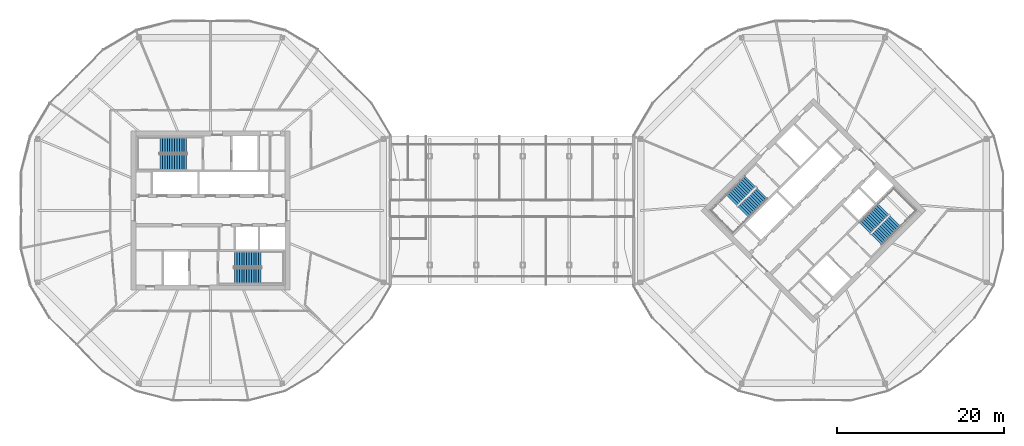
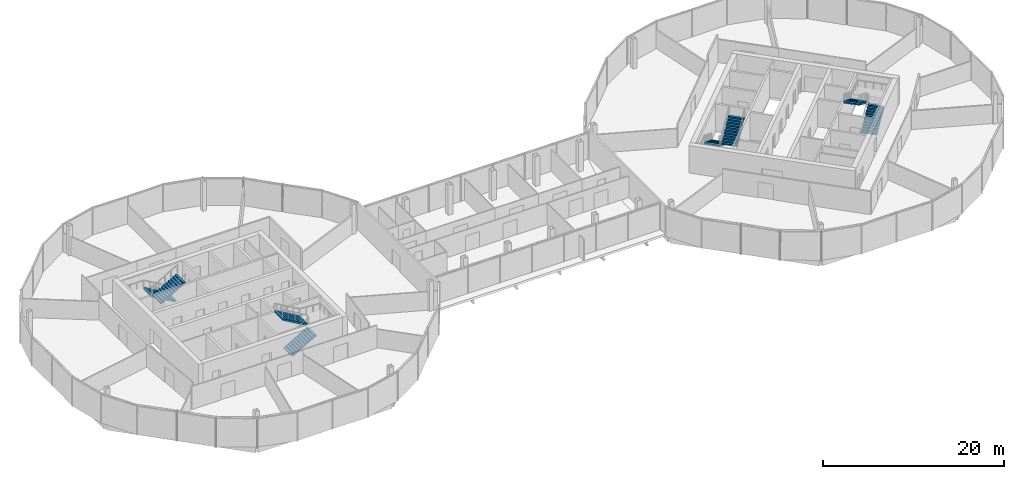
# One storey, part 25 of 26: 8 stair flights, 4 elements without a shape of their own.
"""IFC4 building model written with IfcOpenShell, lengths in metres."""

from ifc_helpers import new_model, si_unit, direction, frame, origin, place, context, subcontext, project, spatial, polyline, outline, extrude, material, type_object, element, aggregate, save


model = new_model("IFC4")

# Units and contexts
model_context = context("Model", 3, precision=1e-05, world=origin(), true_north=direction((0.0, 1.0)))
body_context = subcontext(model_context, "Body", "Model", "MODEL_VIEW")
ifc_project = project(units=[si_unit("LENGTHUNIT", "METRE"), si_unit("AREAUNIT", "SQUARE_METRE"), si_unit("VOLUMEUNIT", "CUBIC_METRE"), si_unit("PLANEANGLEUNIT", "RADIAN"), si_unit("MASSUNIT", "GRAM", prefix="KILO")], contexts=[model_context])

# Site, building, storey
site_placement = place(None, origin())
site = spatial("IfcSite", under=ifc_project, at=site_placement, CompositionType="ELEMENT")
building_placement = place(site_placement, origin())
building = spatial("IfcBuilding", under=site, at=building_placement, Name="Ogive Gate Towers", CompositionType="ELEMENT")
storey_placement = place(building_placement, frame((0.0, 0.0, 148.800048828125)))
storey = spatial("IfcBuildingStorey", under=building, at=storey_placement, Name="L35", CompositionType="ELEMENT", Elevation=148.800048828125)

# Stair, stair flights
ifc_material = material(Name="Concrete C40/50", Category="concrete")
stair_type = type_object("IfcStairType", Name="Escape stair 1840 wide", PredefinedType="HALF_TURN_STAIR", material=ifc_material)
stair_1_placement = place(storey_placement, origin())
stair_1 = element("IfcStair", 1, at=stair_1_placement, inside=storey, type_object=stair_type, Name="L35 Escape stair 1", PredefinedType="HALF_TURN_STAIR")
stair_flight_type = type_object("IfcStairFlightType", Name="Stair flight 1840 wide", PredefinedType="STRAIGHT", material=ifc_material)
stair_flight_1_placement = place(storey_placement, frame((-38.864990234375, 7.780029296875, 0.0), z_axis=(0.0, 0.0, 1.0), x_axis=(-1.0, 0.0, 0.0)))
stair_flight_1 = element("IfcStairFlight", 2, at=stair_flight_1_placement, type_object=stair_flight_type, Name="ST1 flight 1", NumberOfRisers=12, NumberOfTreads=11, PredefinedType="STRAIGHT", RiserHeight=0.166666667, TreadLength=0.2875, context=body_context, shape_type="SweptSolid", body=[
    extrude(outline(polyline([(0.0, 0.0), (0.0, 0.166748046875), (0.28759765625, 0.166748046875), (0.28759765625, 0.333251953125), (0.574951171875, 0.333251953125), (0.574951171875, 0.5), (0.862548828125, 0.5), (0.862548828125, 0.666748046875), (1.14990234375, 0.666748046875), (1.14990234375, 0.833251953125), (1.4375, 0.833251953125), (1.4375, 1.0), (1.72509765625, 1.0), (1.72509765625, 1.166748046875), (2.012451171875, 1.166748046875), (2.012451171875, 1.333251953125), (2.300048828125, 1.333251953125), (2.300048828125, 1.5), (2.58740234375, 1.5), (2.58740234375, 1.666748046875), (2.875, 1.666748046875), (2.875, 1.833251953125), (3.16259765625, 1.833251953125), (3.16259765625, 2.0), (3.16259765625, 1.66015625), (0.298828125, 0.0), (0.0, 0.0)])), frame((0.0, 0.919921875, 0.0), z_axis=(0.0, -1.0, 0.0), x_axis=(1.0, 0.0, 0.0)), (0.0, 0.0, 1.0), 1.840087890625),
])
stair_flight_2_placement = place(storey_placement, frame((-42.027587890625, 5.794921875, 2.0), z_axis=(0.0, 0.0, 1.0), x_axis=(1.0, 0.0, 0.0)))
stair_flight_2 = element("IfcStairFlight", 3, at=stair_flight_2_placement, type_object=stair_flight_type, Name="ST1 flight 2", NumberOfRisers=12, NumberOfTreads=11, PredefinedType="STRAIGHT", RiserHeight=0.166666667, TreadLength=0.2875, context=body_context, shape_type="SweptSolid", body=[
    extrude(outline(polyline([(0.0, 0.0), (0.0, 0.166748046875), (0.28759765625, 0.166748046875), (0.28759765625, 0.333251953125), (0.574951171875, 0.333251953125), (0.574951171875, 0.5), (0.862548828125, 0.5), (0.862548828125, 0.666748046875), (1.14990234375, 0.666748046875), (1.14990234375, 0.833251953125), (1.4375, 0.833251953125), (1.4375, 1.0), (1.72509765625, 1.0), (1.72509765625, 1.166748046875), (2.012451171875, 1.166748046875), (2.012451171875, 1.333251953125), (2.300048828125, 1.333251953125), (2.300048828125, 1.5), (2.58740234375, 1.5), (2.58740234375, 1.666748046875), (2.875, 1.666748046875), (2.875, 1.833251953125), (3.16259765625, 1.833251953125), (3.16259765625, 2.0), (3.16259765625, 1.66015625), (0.298828125, 0.0), (0.0, 0.0)])), frame((0.0, 0.919921875, 0.0), z_axis=(0.0, -1.0, 0.0), x_axis=(1.0, 0.0, 0.0)), (0.0, 0.0, 1.0), 1.840087890625),
])
aggregate(stair_1, [stair_flight_1, stair_flight_2])

stair_2_placement = place(storey_placement, origin())
stair_2 = element("IfcStair", 4, at=stair_2_placement, inside=storey, type_object=stair_type, Name="L35 Escape stair 2", PredefinedType="HALF_TURN_STAIR")
stair_flight_3_placement = place(storey_placement, frame((-33.135009765625, -7.780029296875, 0.0), z_axis=(0.0, 0.0, 1.0), x_axis=(1.0, 0.0, 0.0)))
stair_flight_3 = element("IfcStairFlight", 5, at=stair_flight_3_placement, type_object=stair_flight_type, Name="ST2 flight 1", NumberOfRisers=12, NumberOfTreads=11, PredefinedType="STRAIGHT", RiserHeight=0.166666667, TreadLength=0.2875, context=body_context, shape_type="SweptSolid", body=[
    extrude(outline(polyline([(0.0, 0.0), (0.0, 0.166748046875), (0.28759765625, 0.166748046875), (0.28759765625, 0.333251953125), (0.574951171875, 0.333251953125), (0.574951171875, 0.5), (0.862548828125, 0.5), (0.862548828125, 0.666748046875), (1.14990234375, 0.666748046875), (1.14990234375, 0.833251953125), (1.4375, 0.833251953125), (1.4375, 1.0), (1.72509765625, 1.0), (1.72509765625, 1.166748046875), (2.012451171875, 1.166748046875), (2.012451171875, 1.333251953125), (2.300048828125, 1.333251953125), (2.300048828125, 1.5), (2.58740234375, 1.5), (2.58740234375, 1.666748046875), (2.875, 1.666748046875), (2.875, 1.833251953125), (3.16259765625, 1.833251953125), (3.16259765625, 2.0), (3.16259765625, 1.66015625), (0.298828125, 0.0), (0.0, 0.0)])), frame((0.0, 0.919921875, 0.0), z_axis=(0.0, -1.0, 0.0), x_axis=(1.0, 0.0, 0.0)), (0.0, 0.0, 1.0), 1.840087890625),
])
stair_flight_4_placement = place(storey_placement, frame((-29.972412109375, -5.794921875, 2.0), z_axis=(0.0, 0.0, 1.0), x_axis=(-1.0, 0.0, 0.0)))
stair_flight_4 = element("IfcStairFlight", 6, at=stair_flight_4_placement, type_object=stair_flight_type, Name="ST2 flight 2", NumberOfRisers=12, NumberOfTreads=11, PredefinedType="STRAIGHT", RiserHeight=0.166666667, TreadLength=0.2875, context=body_context, shape_type="SweptSolid", body=[
    extrude(outline(polyline([(0.0, 0.0), (0.0, 0.166748046875), (0.28759765625, 0.166748046875), (0.28759765625, 0.333251953125), (0.574951171875, 0.333251953125), (0.574951171875, 0.5), (0.862548828125, 0.5), (0.862548828125, 0.666748046875), (1.14990234375, 0.666748046875), (1.14990234375, 0.833251953125), (1.4375, 0.833251953125), (1.4375, 1.0), (1.72509765625, 1.0), (1.72509765625, 1.166748046875), (2.012451171875, 1.166748046875), (2.012451171875, 1.333251953125), (2.300048828125, 1.333251953125), (2.300048828125, 1.5), (2.58740234375, 1.5), (2.58740234375, 1.666748046875), (2.875, 1.666748046875), (2.875, 1.833251953125), (3.16259765625, 1.833251953125), (3.16259765625, 2.0), (3.16259765625, 1.66015625), (0.298828125, 0.0), (0.0, 0.0)])), frame((0.0, 0.919921875, 0.0), z_axis=(0.0, -1.0, 0.0), x_axis=(1.0, 0.0, 0.0)), (0.0, 0.0, 1.0), 1.840087890625),
])
aggregate(stair_2, [stair_flight_3, stair_flight_4])

stair_3_placement = place(storey_placement, origin())
stair_3 = element("IfcStair", 7, at=stair_3_placement, inside=storey, type_object=stair_type, Name="L35 Escape stair 1", PredefinedType="HALF_TURN_STAIR")
stair_flight_5_placement = place(storey_placement, frame((28.472900390625, 3.475341796875, 0.0), z_axis=(0.0, 0.0, 1.0), x_axis=(-0.707106781187, -0.707106781187, 0.0)))
stair_flight_5 = element("IfcStairFlight", 8, at=stair_flight_5_placement, type_object=stair_flight_type, Name="ST1 flight 1", NumberOfRisers=12, NumberOfTreads=11, PredefinedType="STRAIGHT", RiserHeight=0.166666667, TreadLength=0.2875, context=body_context, shape_type="SweptSolid", body=[
    extrude(outline(polyline([(0.0, 0.0), (0.0, 0.166748046875), (0.28759765625, 0.166748046875), (0.28759765625, 0.333251953125), (0.574951171875, 0.333251953125), (0.574951171875, 0.5), (0.862548828125, 0.5), (0.862548828125, 0.666748046875), (1.14990234375, 0.666748046875), (1.14990234375, 0.833251953125), (1.4375, 0.833251953125), (1.4375, 1.0), (1.72509765625, 1.0), (1.72509765625, 1.166748046875), (2.012451171875, 1.166748046875), (2.012451171875, 1.333251953125), (2.300048828125, 1.333251953125), (2.300048828125, 1.5), (2.58740234375, 1.5), (2.58740234375, 1.666748046875), (2.875, 1.666748046875), (2.875, 1.833251953125), (3.16259765625, 1.833251953125), (3.16259765625, 2.0), (3.16259765625, 1.66015625), (0.298828125, 0.0), (0.0, 0.0)])), frame((0.0, 0.919921875, 0.0), z_axis=(0.0, -1.0, 0.0), x_axis=(1.0, 0.0, 0.0)), (0.0, 0.0, 1.0), 1.840087890625),
])
stair_flight_6_placement = place(storey_placement, frame((27.64013671875, -0.164306640625, 2.0), z_axis=(0.0, 0.0, 1.0), x_axis=(0.707106781187, 0.707106781187, 0.0)))
stair_flight_6 = element("IfcStairFlight", 9, at=stair_flight_6_placement, type_object=stair_flight_type, Name="ST1 flight 2", NumberOfRisers=12, NumberOfTreads=11, PredefinedType="STRAIGHT", RiserHeight=0.166666667, TreadLength=0.2875, context=body_context, shape_type="SweptSolid", body=[
    extrude(outline(polyline([(0.0, 0.0), (0.0, 0.166748046875), (0.28759765625, 0.166748046875), (0.28759765625, 0.333251953125), (0.574951171875, 0.333251953125), (0.574951171875, 0.5), (0.862548828125, 0.5), (0.862548828125, 0.666748046875), (1.14990234375, 0.666748046875), (1.14990234375, 0.833251953125), (1.4375, 0.833251953125), (1.4375, 1.0), (1.72509765625, 1.0), (1.72509765625, 1.166748046875), (2.012451171875, 1.166748046875), (2.012451171875, 1.333251953125), (2.300048828125, 1.333251953125), (2.300048828125, 1.5), (2.58740234375, 1.5), (2.58740234375, 1.666748046875), (2.875, 1.666748046875), (2.875, 1.833251953125), (3.16259765625, 1.833251953125), (3.16259765625, 2.0), (3.16259765625, 1.66015625), (0.298828125, 0.0), (0.0, 0.0)])), frame((0.0, 0.919921875, 0.0), z_axis=(0.0, -1.0, 0.0), x_axis=(1.0, 0.0, 0.0)), (0.0, 0.0, 1.0), 1.840087890625),
])
aggregate(stair_3, [stair_flight_5, stair_flight_6])

stair_4_placement = place(storey_placement, origin())
stair_4 = element("IfcStair", 10, at=stair_4_placement, inside=storey, type_object=stair_type, Name="L35 Escape stair 2", PredefinedType="HALF_TURN_STAIR")
stair_flight_7_placement = place(storey_placement, frame((43.527099609375, -3.475341796875, 0.0), z_axis=(0.0, 0.0, 1.0), x_axis=(0.707106781187, 0.707106781187, 0.0)))
stair_flight_7 = element("IfcStairFlight", 11, at=stair_flight_7_placement, type_object=stair_flight_type, Name="ST2 flight 1", NumberOfRisers=12, NumberOfTreads=11, PredefinedType="STRAIGHT", RiserHeight=0.166666667, TreadLength=0.2875, context=body_context, shape_type="SweptSolid", body=[
    extrude(outline(polyline([(0.0, 0.0), (0.0, 0.166748046875), (0.28759765625, 0.166748046875), (0.28759765625, 0.333251953125), (0.574951171875, 0.333251953125), (0.574951171875, 0.5), (0.862548828125, 0.5), (0.862548828125, 0.666748046875), (1.14990234375, 0.666748046875), (1.14990234375, 0.833251953125), (1.4375, 0.833251953125), (1.4375, 1.0), (1.72509765625, 1.0), (1.72509765625, 1.166748046875), (2.012451171875, 1.166748046875), (2.012451171875, 1.333251953125), (2.300048828125, 1.333251953125), (2.300048828125, 1.5), (2.58740234375, 1.5), (2.58740234375, 1.666748046875), (2.875, 1.666748046875), (2.875, 1.833251953125), (3.16259765625, 1.833251953125), (3.16259765625, 2.0), (3.16259765625, 1.66015625), (0.298828125, 0.0), (0.0, 0.0)])), frame((0.0, 0.919921875, 0.0), z_axis=(0.0, -1.0, 0.0), x_axis=(1.0, 0.0, 0.0)), (0.0, 0.0, 1.0), 1.840087890625),
])
stair_flight_8_placement = place(storey_placement, frame((44.35986328125, 0.164306640625, 2.0), z_axis=(0.0, 0.0, 1.0), x_axis=(-0.707106781187, -0.707106781187, 0.0)))
stair_flight_8 = element("IfcStairFlight", 12, at=stair_flight_8_placement, type_object=stair_flight_type, Name="ST2 flight 2", NumberOfRisers=12, NumberOfTreads=11, PredefinedType="STRAIGHT", RiserHeight=0.166666667, TreadLength=0.2875, context=body_context, shape_type="SweptSolid", body=[
    extrude(outline(polyline([(0.0, 0.0), (0.0, 0.166748046875), (0.28759765625, 0.166748046875), (0.28759765625, 0.333251953125), (0.574951171875, 0.333251953125), (0.574951171875, 0.5), (0.862548828125, 0.5), (0.862548828125, 0.666748046875), (1.14990234375, 0.666748046875), (1.14990234375, 0.833251953125), (1.4375, 0.833251953125), (1.4375, 1.0), (1.72509765625, 1.0), (1.72509765625, 1.166748046875), (2.012451171875, 1.166748046875), (2.012451171875, 1.333251953125), (2.300048828125, 1.333251953125), (2.300048828125, 1.5), (2.58740234375, 1.5), (2.58740234375, 1.666748046875), (2.875, 1.666748046875), (2.875, 1.833251953125), (3.16259765625, 1.833251953125), (3.16259765625, 2.0), (3.16259765625, 1.66015625), (0.298828125, 0.0), (0.0, 0.0)])), frame((0.0, 0.919921875, 0.0), z_axis=(0.0, -1.0, 0.0), x_axis=(1.0, 0.0, 0.0)), (0.0, 0.0, 1.0), 1.840087890625),
])
aggregate(stair_4, [stair_flight_7, stair_flight_8])

save(model, "model.ifc")
